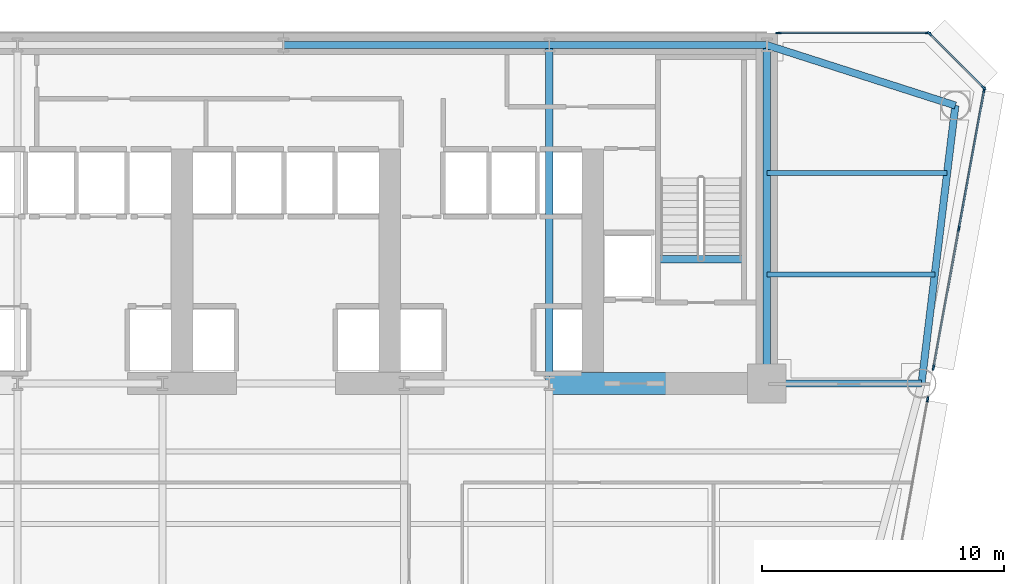
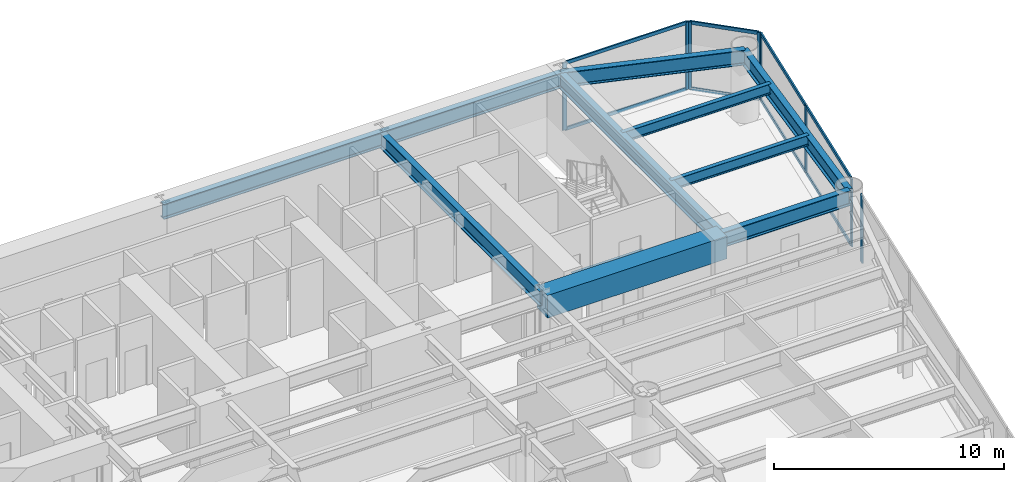
# One storey, part 6 of 14: 16 members, 11 beams, 4 elements without a shape of their own.
"""IFC4 building model written with IfcOpenShell, lengths in metres."""

from ifc_helpers import new_model, si_unit, direction, frame, origin, origin_2d, place, context, subcontext, project, spatial, rectangle, i_section, extrude, source, transform, mapped, material, layer, layer_set, material_profile, profile_set, type_object, element, aggregate, save


model = new_model("IFC4")

# Units and contexts
model_context = context("Model", 3, precision=1e-05, world=origin(), true_north=direction((0.0, 1.0)))
body_context = subcontext(model_context, "Body", "Model", "MODEL_VIEW")
ifc_project = project(units=[si_unit("LENGTHUNIT", "METRE"), si_unit("AREAUNIT", "SQUARE_METRE"), si_unit("VOLUMEUNIT", "CUBIC_METRE"), si_unit("PLANEANGLEUNIT", "RADIAN"), si_unit("MASSUNIT", "GRAM", prefix="KILO")], contexts=[model_context])

# Site, building, storey
site_placement = place(None, origin())
site = spatial("IfcSite", under=ifc_project, at=site_placement, CompositionType="ELEMENT")
building_placement = place(site_placement, origin())
building = spatial("IfcBuilding", under=site, at=building_placement, Name="Vaeldorn Concourse Tower", CompositionType="ELEMENT")
storey_placement = place(building_placement, frame((0.0, 0.0, 60.60009765625)))
storey = spatial("IfcBuildingStorey", under=building, at=storey_placement, Name="L15", CompositionType="ELEMENT", Elevation=60.60009765625)

# Beams
ifc_material_1 = material(Name="Concrete C60/75", Category="concrete")
ifc_material_profile_1 = material_profile(ifc_material_1, rectangle(XDim=0.89990234375, YDim=1.199951171875, at=origin_2d()), Name="RC 900x1200")
ifc_profile_set_1 = profile_set([ifc_material_profile_1], Name="Concrete C60/75")
beam_type_1 = type_object("IfcBeamType", Name="BM-CB-RC900", PredefinedType="BEAM", material=ifc_profile_set_1)
shared_shape_1 = source(origin(), body_context, "Body", "SweptSolid", [
    extrude(rectangle(XDim=0.89990234375, YDim=1.199951171875, at=origin_2d()), origin(), (0.0, 0.0, 1.0), 9.0),
])
beam_1_placement = place(storey_placement, frame((45.0, 36.5, 2.97998046875), z_axis=(1.0, 0.0, 0.0), x_axis=(0.0, 1.0, 0.0)))
element("IfcBeam", 1, at=beam_1_placement, inside=storey, type_object=beam_type_1, Name="Core Coupling Beam L15-2", PredefinedType="BEAM", context=body_context, shape_type="MappedRepresentation", body=[
    mapped(shared_shape_1, transform((0.0, 0.0, 0.0), scale=1.0)),
])
ifc_material_2 = material(Name="Steel S355", Category="steel")
ifc_material_profile_2 = material_profile(ifc_material_2, i_section(OverallWidth=0.300048828125, OverallDepth=0.340087890625, WebThickness=0.011962890625, FlangeThickness=0.021484375, FilletRadius=0.027099609375, at=origin_2d()), Name="HEB 340")
ifc_profile_set_2 = profile_set([ifc_material_profile_2], Name="Steel S355")
beam_type_2 = type_object("IfcBeamType", Name="BM-ST-TRIM", PredefinedType="BEAM", material=ifc_profile_set_2)
shared_shape_2 = source(origin(), body_context, "Body", "SweptSolid", [
    extrude(i_section(OverallWidth=0.300048828125, OverallDepth=0.340087890625, WebThickness=0.011962890625, FlangeThickness=0.021484375, FilletRadius=0.027099609375, at=origin_2d()), origin(), (0.0, 0.0, 1.0), 3.590087890625),
])
beam_2_placement = place(storey_placement, frame((49.47998046875, 41.639892578125, -0.39013671875), z_axis=(1.0, 0.0, 0.0), x_axis=(0.0, 1.0, 0.0)))
element("IfcBeam", 2, at=beam_2_placement, inside=storey, type_object=beam_type_2, Name="Stair Landing Trimmer Beam ST-2 L15", PredefinedType="BEAM", context=body_context, shape_type="MappedRepresentation", body=[
    mapped(shared_shape_2, transform((0.0, 0.0, 0.0), scale=1.0)),
])
ifc_material_profile_3 = material_profile(ifc_material_2, i_section(OverallWidth=0.300048828125, OverallDepth=0.800048828125, WebThickness=0.017578125, FlangeThickness=0.032958984375, FilletRadius=0.030029296875, at=origin_2d()), Name="HEB 800")
ifc_profile_set_3 = profile_set([ifc_material_profile_3], Name="Steel S355")
beam_type_3 = type_object("IfcBeamType", Name="BM-PG-HEB800", PredefinedType="BEAM", material=ifc_profile_set_3)
shared_shape_3 = source(origin(), body_context, "Body", "SweptSolid", [
    extrude(i_section(OverallWidth=0.300048828125, OverallDepth=0.800048828125, WebThickness=0.017578125, FlangeThickness=0.032958984375, FilletRadius=0.030029296875, at=origin_2d()), origin(), (0.0, 0.0, 1.0), 9.0),
])
beam_3_placement = place(storey_placement, frame((45.0, 50.5, 3.179931640625), z_axis=(1.0, 0.0, 0.0), x_axis=(0.0, 1.0, 0.0)))
element("IfcBeam", 3, at=beam_3_placement, inside=storey, type_object=beam_type_3, Name="Beam BM-L15-C-HC4-C-HC5", PredefinedType="BEAM", context=body_context, shape_type="MappedRepresentation", body=[
    mapped(shared_shape_3, transform((0.0, 0.0, 0.0), scale=1.0)),
])
shared_shape_4 = source(origin(), body_context, "Body", "SweptSolid", [
    extrude(i_section(OverallWidth=0.300048828125, OverallDepth=0.800048828125, WebThickness=0.017578125, FlangeThickness=0.032958984375, FilletRadius=0.030029296875, at=origin_2d()), origin(), (0.0, 0.0, 1.0), 11.0),
])
beam_4_placement = place(storey_placement, frame((34.0, 50.5, 3.179931640625), z_axis=(1.0, 0.0, 0.0), x_axis=(0.0, 1.0, 0.0)))
element("IfcBeam", 4, at=beam_4_placement, inside=storey, type_object=beam_type_3, Name="Beam BM-L15-C-HC3-C-HC4", PredefinedType="BEAM", context=body_context, shape_type="MappedRepresentation", body=[
    mapped(shared_shape_4, transform((0.0, 0.0, 0.0), scale=1.0)),
])
shared_shape_5 = source(origin(), body_context, "Body", "SweptSolid", [
    extrude(i_section(OverallWidth=0.300048828125, OverallDepth=0.800048828125, WebThickness=0.017578125, FlangeThickness=0.032958984375, FilletRadius=0.030029296875, at=origin_2d()), origin(), (0.0, 0.0, 1.0), 14.0),
])
for number, where, z_axis, x_axis, name in (
    (5, (45.0, 36.5, 3.179931640625), (0.0, 1.0, 0.0), (-1.0, 0.0, 0.0), "Beam BM-L15-C-FC5-C-HC4"),
    (6, (54.0, 36.5, 3.179931640625), (0.0, 1.0, 0.0), (-1.0, 0.0, 0.0), "Beam BM-L15-C-FC6-C-HC5"),
):
    element("IfcBeam", number, at=place(storey_placement, frame(where, z_axis=z_axis, x_axis=x_axis)), inside=storey, type_object=beam_type_3, Name=name, PredefinedType="BEAM", context=body_context, shape_type="MappedRepresentation", body=[
        mapped(shared_shape_5, transform((0.0, 0.0, 0.0), scale=1.0)),
    ])
shared_shape_6 = source(origin(), body_context, "Body", "SweptSolid", [
    extrude(i_section(OverallWidth=0.300048828125, OverallDepth=0.800048828125, WebThickness=0.017578125, FlangeThickness=0.032958984375, FilletRadius=0.030029296875, at=origin_2d()), origin(), (0.0, 0.0, 1.0), 8.19091796875),
])
beam_5_placement = place(storey_placement, frame((54.0, 50.5, 3.179931640625), z_axis=(0.952282843383, -0.305216949396, 0.0), x_axis=(0.305216949396, 0.952282843383, 0.0)))
element("IfcBeam", 7, at=beam_5_placement, inside=storey, type_object=beam_type_3, Name="Beam BM-L15-C-HC5-C-NE1", PredefinedType="BEAM", context=body_context, shape_type="MappedRepresentation", body=[
    mapped(shared_shape_6, transform((0.0, 0.0, 0.0), scale=1.0)),
])
shared_shape_7 = source(origin(), body_context, "Body", "SweptSolid", [
    extrude(i_section(OverallWidth=0.300048828125, OverallDepth=0.800048828125, WebThickness=0.017578125, FlangeThickness=0.032958984375, FilletRadius=0.030029296875, at=origin_2d()), origin(), (0.0, 0.0, 1.0), 11.5849609375),
])
beam_6_placement = place(storey_placement, frame((61.800048828125, 48.0, 3.179931640625), z_axis=(-0.120859382899, -0.992669637677, 0.0), x_axis=(0.992669637677, -0.120859382899, 0.0)))
element("IfcBeam", 8, at=beam_6_placement, inside=storey, type_object=beam_type_3, Name="Beam BM-L15-C-NE1-C-NE2", PredefinedType="BEAM", context=body_context, shape_type="MappedRepresentation", body=[
    mapped(shared_shape_7, transform((0.0, 0.0, 0.0), scale=1.0)),
])
shared_shape_8 = source(origin(), body_context, "Body", "SweptSolid", [
    extrude(i_section(OverallWidth=0.300048828125, OverallDepth=0.800048828125, WebThickness=0.017578125, FlangeThickness=0.032958984375, FilletRadius=0.030029296875, at=origin_2d()), origin(), (0.0, 0.0, 1.0), 6.39990234375),
])
beam_7_placement = place(storey_placement, frame((54.0, 36.5, 3.179931640625), z_axis=(1.0, 0.0, 0.0), x_axis=(0.0, 1.0, 0.0)))
element("IfcBeam", 9, at=beam_7_placement, inside=storey, type_object=beam_type_3, Name="Beam BM-L15-C-FC6-C-NE2", PredefinedType="BEAM", context=body_context, shape_type="MappedRepresentation", body=[
    mapped(shared_shape_8, transform((0.0, 0.0, 0.0), scale=1.0)),
])
ifc_material_profile_4 = material_profile(ifc_material_2, i_section(OverallWidth=0.2099609375, OverallDepth=0.550048828125, WebThickness=0.010986328125, FlangeThickness=0.01708984375, FilletRadius=0.02392578125, at=origin_2d()), Name="IPE 550")
ifc_profile_set_4 = profile_set([ifc_material_profile_4], Name="Steel S355")
beam_type_4 = type_object("IfcBeamType", Name="BM-JS-IPE550", PredefinedType="JOIST", material=ifc_profile_set_4)
shared_shape_9 = source(origin(), body_context, "Body", "SweptSolid", [
    extrude(i_section(OverallWidth=0.2099609375, OverallDepth=0.550048828125, WebThickness=0.010986328125, FlangeThickness=0.01708984375, FilletRadius=0.02392578125, at=origin_2d()), origin(), (0.0, 0.0, 1.0), 6.94775390625),
])
beam_8_placement = place(storey_placement, frame((54.0, 41.0, 3.304931640625), z_axis=(1.0, 0.0, 0.0), x_axis=(0.0, 1.0, 0.0)))
element("IfcBeam", 10, at=beam_8_placement, inside=storey, type_object=beam_type_4, Name="Beam JS-L15-NE-410", PredefinedType="JOIST", context=body_context, shape_type="MappedRepresentation", body=[
    mapped(shared_shape_9, transform((0.0, 0.0, 0.0), scale=1.0)),
])
shared_shape_10 = source(origin(), body_context, "Body", "SweptSolid", [
    extrude(i_section(OverallWidth=0.2099609375, OverallDepth=0.550048828125, WebThickness=0.010986328125, FlangeThickness=0.01708984375, FilletRadius=0.02392578125, at=origin_2d()), origin(), (0.0, 0.0, 1.0), 7.458984375),
])
beam_9_placement = place(storey_placement, frame((54.0, 45.199951171875, 3.304931640625), z_axis=(1.0, 0.0, 0.0), x_axis=(0.0, 1.0, 0.0)))
element("IfcBeam", 11, at=beam_9_placement, inside=storey, type_object=beam_type_4, Name="Beam JS-L15-NE-452", PredefinedType="JOIST", context=body_context, shape_type="MappedRepresentation", body=[
    mapped(shared_shape_10, transform((0.0, 0.0, 0.0), scale=1.0)),
])

# Curtain wall, member
ifc_material_3 = material(Name="Anodised Bronze Aluminium", Category="aluminium")
ifc_layer = layer(ifc_material_3, 0.219970703125)
ifc_layer_set = layer_set([ifc_layer], Name="Anodised Bronze Aluminium")
curtain_wall_type = type_object("IfcCurtainWallType", Name="CW-SYS-01", PredefinedType="NOTDEFINED", material=ifc_layer_set)
curtain_wall_1_placement = place(storey_placement, origin())
curtain_wall_1 = element("IfcCurtainWall", 12, at=curtain_wall_1_placement, inside=storey, type_object=curtain_wall_type, Name="Unitised Curtain Wall CW-L15-E07-1", PredefinedType="NOTDEFINED")
ifc_material_profile_5 = material_profile(ifc_material_3, rectangle(XDim=0.074951171875, YDim=0.219970703125, at=origin_2d()), Name="CWM 75x220")
ifc_profile_set_5 = profile_set([ifc_material_profile_5], Name="Anodised Bronze Aluminium")
member_type_1 = type_object("IfcMemberType", Name="CWM-BRONZE-220", PredefinedType="MULLION", material=ifc_profile_set_5)
shared_shape_11 = source(origin(), body_context, "Body", "SweptSolid", [
    extrude(rectangle(XDim=0.074951171875, YDim=0.219970703125, at=origin_2d()), origin(), (0.0, 0.0, 1.0), 3.579833984375),
])
member_1_placement = place(storey_placement, frame((60.65576171875, 35.843505859375, 0.0), z_axis=(0.0, 0.0, 1.0), x_axis=(-0.98377915742, 0.179383860553, 0.0)))
member_1 = element("IfcMember", 13, at=member_1_placement, type_object=member_type_1, Name="CW-01 mullion 6", PredefinedType="MULLION", context=body_context, shape_type="MappedRepresentation", body=[
    mapped(shared_shape_11, transform((0.0, 0.0, 0.0), scale=1.0)),
])
aggregate(curtain_wall_1, [member_1])

# Curtain wall, members
curtain_wall_2_placement = place(storey_placement, origin())
curtain_wall_2 = element("IfcCurtainWall", 14, at=curtain_wall_2_placement, inside=storey, type_object=curtain_wall_type, Name="Unitised Curtain Wall CW-L15-E07-2", PredefinedType="NOTDEFINED")
member_2_placement = place(storey_placement, frame((60.89501953125, 37.156494140625, 0.0), z_axis=(0.0, 0.0, 1.0), x_axis=(-0.983779259951, 0.179383298246, 0.0)))
member_2 = element("IfcMember", 15, at=member_2_placement, type_object=member_type_1, Name="CW-01 mullion 1", PredefinedType="MULLION", context=body_context, shape_type="MappedRepresentation", body=[
    mapped(shared_shape_11, transform((0.0, 0.0, 0.0), scale=1.0)),
])
member_3_placement = place(storey_placement, frame((61.944091796875, 42.90966796875, 0.0), z_axis=(0.0, 0.0, 1.0), x_axis=(-0.983779259951, 0.179383298246, 0.0)))
member_3 = element("IfcMember", 16, at=member_3_placement, type_object=member_type_1, Name="CW-01 mullion 2", PredefinedType="MULLION", context=body_context, shape_type="MappedRepresentation", body=[
    mapped(shared_shape_11, transform((0.0, 0.0, 0.0), scale=1.0)),
])
member_4_placement = place(storey_placement, frame((62.9931640625, 48.6630859375, 0.0), z_axis=(0.0, 0.0, 1.0), x_axis=(-0.983779259951, 0.179383298246, 0.0)))
member_4 = element("IfcMember", 17, at=member_4_placement, type_object=member_type_1, Name="CW-01 mullion 3", PredefinedType="MULLION", context=body_context, shape_type="MappedRepresentation", body=[
    mapped(shared_shape_11, transform((0.0, 0.0, 0.0), scale=1.0)),
])

curtain_wall_3_placement = place(storey_placement, origin())
curtain_wall_3 = element("IfcCurtainWall", 18, at=curtain_wall_3_placement, inside=storey, type_object=curtain_wall_type, Name="Unitised Curtain Wall CW-L15-E08-1", PredefinedType="NOTDEFINED")
member_5_placement = place(storey_placement, frame((62.973388671875, 48.7265625, 0.0), z_axis=(0.0, 0.0, 1.0), x_axis=(-0.707106781187, -0.707106781187, 0.0)))
member_5 = element("IfcMember", 19, at=member_5_placement, type_object=member_type_1, Name="CW-01 mullion 1", PredefinedType="MULLION", context=body_context, shape_type="MappedRepresentation", body=[
    mapped(shared_shape_11, transform((0.0, 0.0, 0.0), scale=1.0)),
])
member_6_placement = place(storey_placement, frame((60.7265625, 50.973388671875, 0.0), z_axis=(0.0, 0.0, 1.0), x_axis=(-0.707106781187, -0.707106781187, 0.0)))
member_6 = element("IfcMember", 20, at=member_6_placement, type_object=member_type_1, Name="CW-01 mullion 2", PredefinedType="MULLION", context=body_context, shape_type="MappedRepresentation", body=[
    mapped(shared_shape_11, transform((0.0, 0.0, 0.0), scale=1.0)),
])

curtain_wall_4_placement = place(storey_placement, origin())
curtain_wall_4 = element("IfcCurtainWall", 21, at=curtain_wall_4_placement, inside=storey, type_object=curtain_wall_type, Name="Unitised Curtain Wall CW-L15-E09-1", PredefinedType="NOTDEFINED")
member_7_placement = place(storey_placement, frame((60.66259765625, 51.0, 0.0), z_axis=(0.0, 0.0, 1.0), x_axis=(0.0, -1.0, 0.0)))
member_7 = element("IfcMember", 22, at=member_7_placement, type_object=member_type_1, Name="CW-01 mullion 1", PredefinedType="MULLION", context=body_context, shape_type="MappedRepresentation", body=[
    mapped(shared_shape_11, transform((0.0, 0.0, 0.0), scale=1.0)),
])
member_8_placement = place(storey_placement, frame((54.482421875, 51.0, 0.0), z_axis=(0.0, 0.0, 1.0), x_axis=(0.0, -1.0, 0.0)))
member_8 = element("IfcMember", 23, at=member_8_placement, type_object=member_type_1, Name="CW-01 mullion 2", PredefinedType="MULLION", context=body_context, shape_type="MappedRepresentation", body=[
    mapped(shared_shape_11, transform((0.0, 0.0, 0.0), scale=1.0)),
])

# Member
ifc_material_profile_6 = material_profile(ifc_material_3, rectangle(XDim=0.074951171875, YDim=0.179931640625, at=origin_2d()), Name="CWT 75x180")
ifc_profile_set_6 = profile_set([ifc_material_profile_6], Name="Anodised Bronze Aluminium")
member_type_2 = type_object("IfcMemberType", Name="CWT-BRONZE-180", PredefinedType="USERDEFINED", material=ifc_profile_set_6)
shared_shape_12 = source(origin(), body_context, "Body", "SweptSolid", [
    extrude(rectangle(XDim=0.074951171875, YDim=0.179931640625, at=origin_2d()), origin(), (0.0, 0.0, 1.0), 3.10302734375),
])
member_9_placement = place(storey_placement, frame((62.947021484375, 48.7529296875, 0.037353515625), z_axis=(-0.707106781187, 0.707106781187, 0.0), x_axis=(-0.707106781187, -0.707106781187, 0.0)))
member_9 = element("IfcMember", 24, at=member_9_placement, type_object=member_type_2, Name="CW-01 transom 1.1", ObjectType="TRANSOM", PredefinedType="USERDEFINED", context=body_context, shape_type="MappedRepresentation", body=[
    mapped(shared_shape_12, transform((0.0, 0.0, 0.0), scale=1.0)),
])

member_10_placement = place(storey_placement, frame((62.947021484375, 48.7529296875, 3.54248046875), z_axis=(-0.707106781187, 0.707106781187, 0.0), x_axis=(-0.707106781187, -0.707106781187, 0.0)))
member_10 = element("IfcMember", 25, at=member_10_placement, type_object=member_type_2, Name="CW-01 transom 1.2", ObjectType="TRANSOM", PredefinedType="USERDEFINED", context=body_context, shape_type="MappedRepresentation", body=[
    mapped(shared_shape_12, transform((0.0, 0.0, 0.0), scale=1.0)),
])

aggregate(curtain_wall_3, [member_5, member_6, member_9, member_10])

shared_shape_13 = source(origin(), body_context, "Body", "SweptSolid", [
    extrude(rectangle(XDim=0.074951171875, YDim=0.179931640625, at=origin_2d()), origin(), (0.0, 0.0, 1.0), 6.10498046875),
])
member_11_placement = place(storey_placement, frame((60.625, 51.0, 0.037353515625), z_axis=(-1.0, 0.0, 0.0), x_axis=(0.0, -1.0, 0.0)))
member_11 = element("IfcMember", 26, at=member_11_placement, type_object=member_type_2, Name="CW-01 transom 1.1", ObjectType="TRANSOM", PredefinedType="USERDEFINED", context=body_context, shape_type="MappedRepresentation", body=[
    mapped(shared_shape_13, transform((0.0, 0.0, 0.0), scale=1.0)),
])

member_12_placement = place(storey_placement, frame((60.625, 51.0, 3.54248046875), z_axis=(-1.0, 0.0, 0.0), x_axis=(0.0, -1.0, 0.0)))
member_12 = element("IfcMember", 27, at=member_12_placement, type_object=member_type_2, Name="CW-01 transom 1.2", ObjectType="TRANSOM", PredefinedType="USERDEFINED", context=body_context, shape_type="MappedRepresentation", body=[
    mapped(shared_shape_13, transform((0.0, 0.0, 0.0), scale=1.0)),
])

aggregate(curtain_wall_4, [member_7, member_8, member_11, member_12])

shared_shape_14 = source(origin(), body_context, "Body", "SweptSolid", [
    extrude(rectangle(XDim=0.074951171875, YDim=0.179931640625, at=origin_2d()), origin(), (0.0, 0.0, 1.0), 5.773193359375),
])
member_13_placement = place(storey_placement, frame((60.90185546875, 37.193359375, 0.037353515625), z_axis=(0.179391533785, 0.983777758239, 0.0), x_axis=(-0.983777758239, 0.179391533785, 0.0)))
member_13 = element("IfcMember", 28, at=member_13_placement, type_object=member_type_2, Name="CW-01 transom 1.1", ObjectType="TRANSOM", PredefinedType="USERDEFINED", context=body_context, shape_type="MappedRepresentation", body=[
    mapped(shared_shape_14, transform((0.0, 0.0, 0.0), scale=1.0)),
])

member_14_placement = place(storey_placement, frame((60.90185546875, 37.193359375, 3.54248046875), z_axis=(0.179391533785, 0.983777758239, 0.0), x_axis=(-0.983777758239, 0.179391533785, 0.0)))
member_14 = element("IfcMember", 29, at=member_14_placement, type_object=member_type_2, Name="CW-01 transom 1.2", ObjectType="TRANSOM", PredefinedType="USERDEFINED", context=body_context, shape_type="MappedRepresentation", body=[
    mapped(shared_shape_14, transform((0.0, 0.0, 0.0), scale=1.0)),
])

shared_shape_15 = source(origin(), body_context, "Body", "SweptSolid", [
    extrude(rectangle(XDim=0.074951171875, YDim=0.179931640625, at=origin_2d()), origin(), (0.0, 0.0, 1.0), 5.7734375),
])
member_15_placement = place(storey_placement, frame((61.950927734375, 42.946533203125, 0.037353515625), z_axis=(0.179384070802, 0.983779119082, 0.0), x_axis=(-0.983779119082, 0.179384070802, 0.0)))
member_15 = element("IfcMember", 30, at=member_15_placement, type_object=member_type_2, Name="CW-01 transom 2.1", ObjectType="TRANSOM", PredefinedType="USERDEFINED", context=body_context, shape_type="MappedRepresentation", body=[
    mapped(shared_shape_15, transform((0.0, 0.0, 0.0), scale=1.0)),
])

member_16_placement = place(storey_placement, frame((61.950927734375, 42.946533203125, 3.54248046875), z_axis=(0.179384070802, 0.983779119082, 0.0), x_axis=(-0.983779119082, 0.179384070802, 0.0)))
member_16 = element("IfcMember", 31, at=member_16_placement, type_object=member_type_2, Name="CW-01 transom 2.2", ObjectType="TRANSOM", PredefinedType="USERDEFINED", context=body_context, shape_type="MappedRepresentation", body=[
    mapped(shared_shape_15, transform((0.0, 0.0, 0.0), scale=1.0)),
])

aggregate(curtain_wall_2, [member_2, member_3, member_4, member_13, member_14, member_15, member_16])

save(model, "model.ifc")
